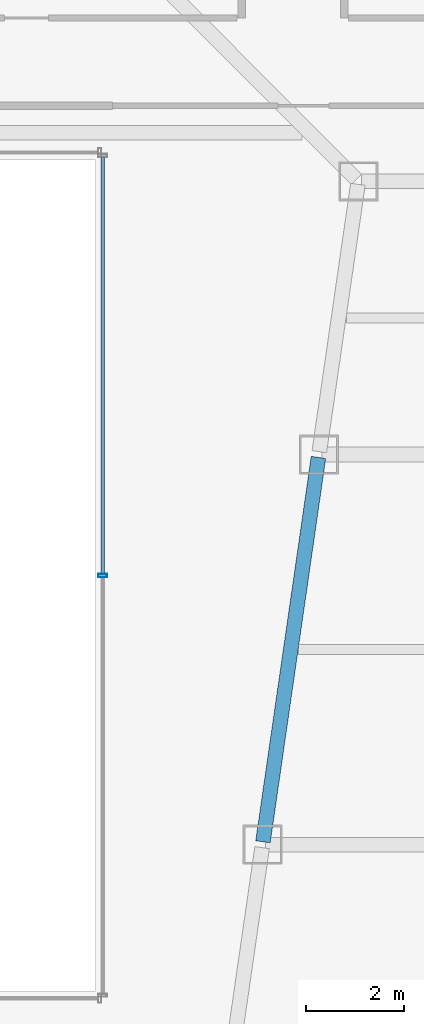
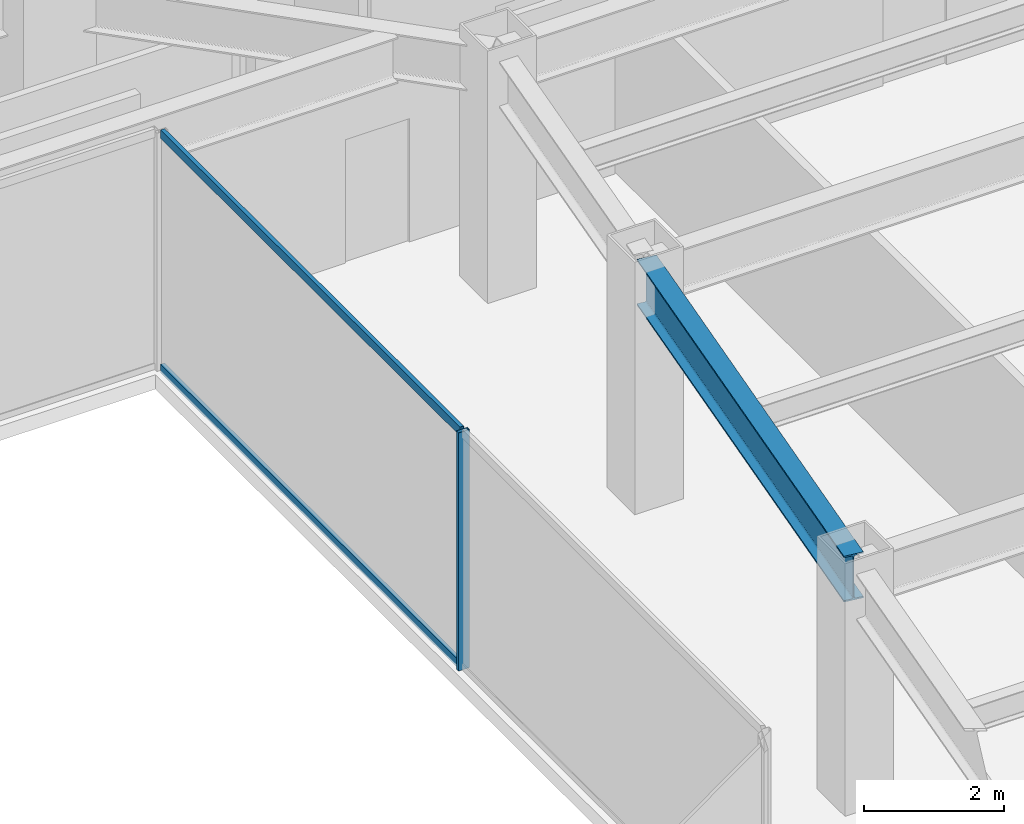
# One storey, part 20 of 47: 3 members, 1 beam, 1 element without a shape of its own.
"""IFC4 building model written with IfcOpenShell, lengths in metres."""

from ifc_helpers import new_model, si_unit, direction, frame, origin, origin_2d, place, context, subcontext, project, spatial, hollow_rectangle, i_section, extrude, material, material_profile, profile_set, type_object, element, aggregate, save


model = new_model("IFC4")

# Units and contexts
model_context = context("Model", 3, precision=1e-05, world=origin(), true_north=direction((0.0, 1.0)))
body_context = subcontext(model_context, "Body", "Model", "MODEL_VIEW")
ifc_project = project(units=[si_unit("LENGTHUNIT", "METRE"), si_unit("AREAUNIT", "SQUARE_METRE"), si_unit("VOLUMEUNIT", "CUBIC_METRE"), si_unit("PLANEANGLEUNIT", "RADIAN"), si_unit("MASSUNIT", "GRAM", prefix="KILO")], contexts=[model_context])

# Site, building, storey
site_placement = place(None, origin())
site = spatial("IfcSite", under=ifc_project, at=site_placement, CompositionType="ELEMENT")
building_placement = place(site_placement, origin())
building = spatial("IfcBuilding", under=site, at=building_placement, Name="Saevonmaru Cultural Tower", CompositionType="ELEMENT")
storey_placement = place(building_placement, frame((0.0, 0.0, 47.199951171875)))
storey = spatial("IfcBuildingStorey", under=building, at=storey_placement, Name="L09", CompositionType="ELEMENT", Elevation=47.199951171875)

# Beam
ifc_material_1 = material(Name="Steel SM420", Category="steel")
ifc_material_profile_1 = material_profile(ifc_material_1, i_section(OverallWidth=0.300048828125, OverallDepth=0.800048828125, WebThickness=0.013916015625, FlangeThickness=0.02587890625, FilletRadius=0.028076171875, at=origin_2d()), Name="H-800x300x14x26")
ifc_profile_set_1 = profile_set([ifc_material_profile_1], Name="Steel SM420")
beam_type = type_object("IfcBeamType", Name="BM-G-H800", PredefinedType="BEAM", material=ifc_profile_set_1)
beam_placement = place(storey_placement, frame((39.236572265625, 24.059326171875, 3.75), z_axis=(0.142902032203, 0.989736838353, 0.0), x_axis=(-0.989736838353, 0.142902032203, 0.0)))
element("IfcBeam", 1, at=beam_placement, inside=storey, type_object=beam_type, Name="L09 East Atrium Girder 4", PredefinedType="BEAM", context=body_context, shape_type="SweptSolid", body=[
    extrude(i_section(OverallWidth=0.300048828125, OverallDepth=0.800048828125, WebThickness=0.013916015625, FlangeThickness=0.02587890625, FilletRadius=0.028076171875, at=origin_2d()), origin(), (0.0, 0.0, 1.0), 7.963134765625),
])

# Curtain wall, members
ifc_material_2 = material(Name="Satin Bronze Anodised Aluminium", Category="aluminium")
curtain_wall_type = type_object("IfcCurtainWallType", Name="CW-ATR-GLZ", PredefinedType="NOTDEFINED", material=ifc_material_2)
curtain_wall_placement = place(storey_placement, origin())
curtain_wall = element("IfcCurtainWall", 2, at=curtain_wall_placement, inside=storey, type_object=curtain_wall_type, Name="L09 Vertical Atrium Glazed Smoke Screen 2", PredefinedType="NOTDEFINED")
ifc_material_profile_2 = material_profile(ifc_material_2, hollow_rectangle(XDim=0.06494140625, YDim=0.179931640625, WallThickness=0.00390625, at=origin_2d()), Name="ALU-MULL-180x65x4")
ifc_profile_set_2 = profile_set([ifc_material_profile_2], Name="Satin Bronze Anodised Aluminium")
member_type_1 = type_object("IfcMemberType", Name="ML-CW-INT-180x65", PredefinedType="MULLION", material=ifc_profile_set_2)
member_1_placement = place(storey_placement, frame((35.949951171875, 29.52001953125, 0.0), z_axis=(0.0, 0.0, 1.0), x_axis=(0.0, 1.0, 0.0)))
member_1 = element("IfcMember", 3, at=member_1_placement, type_object=member_type_1, Name="CW-ATR-L09-2 mullion 2", PredefinedType="MULLION", context=body_context, shape_type="SweptSolid", body=[
    extrude(hollow_rectangle(XDim=0.06494140625, YDim=0.179931640625, WallThickness=0.00390625, at=origin_2d()), origin(), (0.0, 0.0, 1.0), 4.150146484375),
])
ifc_material_profile_3 = material_profile(ifc_material_2, hollow_rectangle(XDim=0.06494140625, YDim=0.14990234375, WallThickness=0.00390625, at=origin_2d()), Name="ALU-TRAN-150x65x4")
ifc_profile_set_3 = profile_set([ifc_material_profile_3], Name="Satin Bronze Anodised Aluminium")
member_type_2 = type_object("IfcMemberType", Name="TR-CW-INT-150x65", PredefinedType="USERDEFINED", material=ifc_profile_set_3)
member_2_placement = place(storey_placement, frame((35.949951171875, 29.552490234375, 0.032470703125), z_axis=(0.0, 1.0, 0.0), x_axis=(-1.0, 0.0, 0.0)))
member_2 = element("IfcMember", 4, at=member_2_placement, type_object=member_type_2, Name="CW-ATR-L09-2 transom 2.1", ObjectType="TRANSOM", PredefinedType="USERDEFINED", context=body_context, shape_type="SweptSolid", body=[
    extrude(hollow_rectangle(XDim=0.06494140625, YDim=0.14990234375, WallThickness=0.00390625, at=origin_2d()), origin(), (0.0, 0.0, 1.0), 8.544921875),
])
member_3_placement = place(storey_placement, frame((35.949951171875, 29.552490234375, 4.117431640625), z_axis=(0.0, 1.0, 0.0), x_axis=(-1.0, 0.0, 0.0)))
member_3 = element("IfcMember", 5, at=member_3_placement, type_object=member_type_2, Name="CW-ATR-L09-2 transom 2.2", ObjectType="TRANSOM", PredefinedType="USERDEFINED", context=body_context, shape_type="SweptSolid", body=[
    extrude(hollow_rectangle(XDim=0.06494140625, YDim=0.14990234375, WallThickness=0.00390625, at=origin_2d()), origin(), (0.0, 0.0, 1.0), 8.544921875),
])
aggregate(curtain_wall, [member_1, member_2, member_3])

save(model, "model.ifc")
